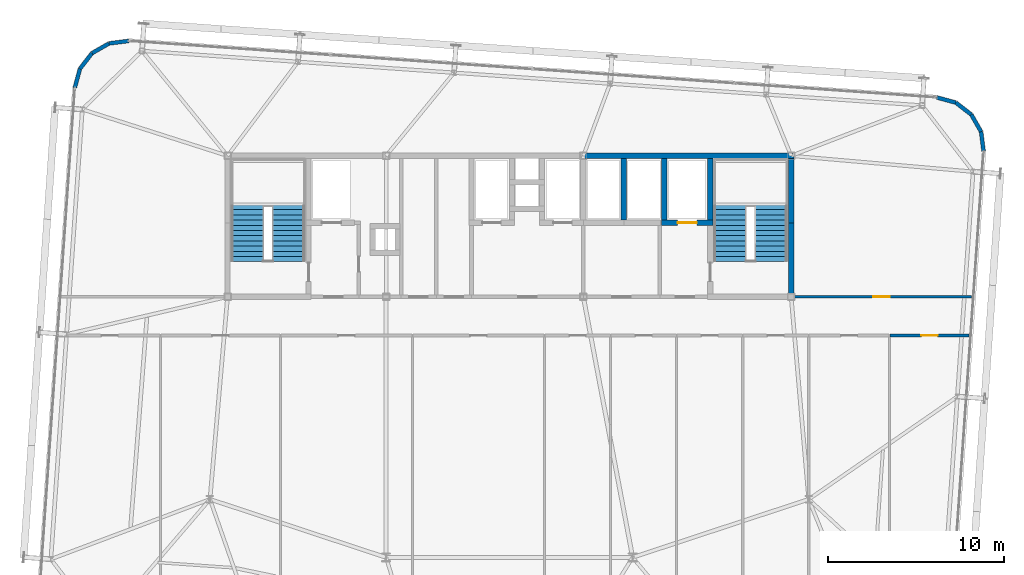
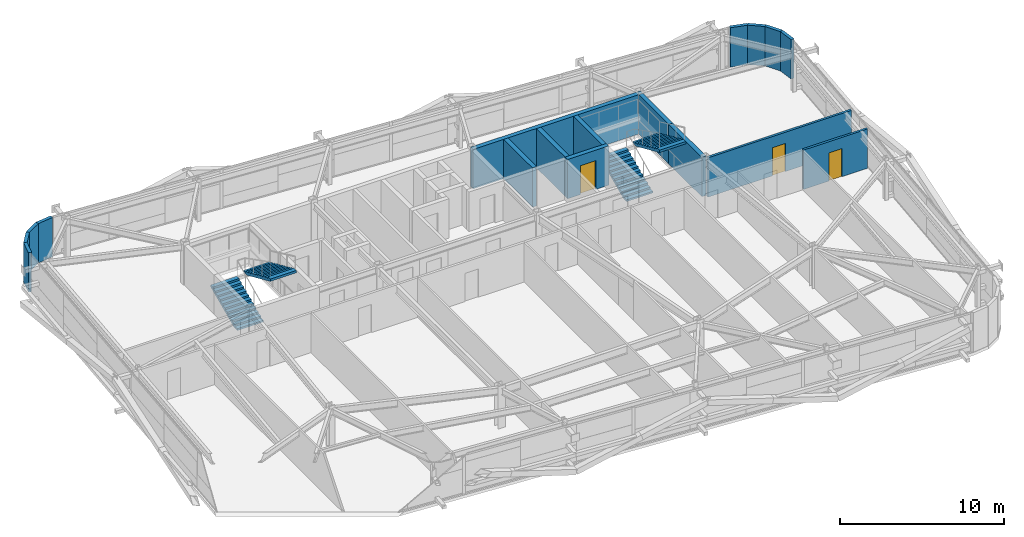
# One storey, part 37 of 39: 17 walls, 4 stair flights, 3 doors, 3 openings, 2 elements without a shape of their own.
"""IFC4 building model written with IfcOpenShell, lengths in metres."""

from ifc_helpers import new_model, si_unit, direction, frame, frame_2d, origin, place, context, subcontext, project, spatial, polyline, rectangle, outline, extrude, source, transform, mapped, material, layer, layer_set, type_object, element, fill, aggregate, save


model = new_model("IFC4")

# Units and contexts
model_context = context("Model", 3, precision=1e-05, world=origin(), true_north=direction((0.0, 1.0)))
body_context = subcontext(model_context, "Body", "Model", "MODEL_VIEW")
ifc_project = project(units=[si_unit("LENGTHUNIT", "METRE"), si_unit("AREAUNIT", "SQUARE_METRE"), si_unit("VOLUMEUNIT", "CUBIC_METRE"), si_unit("PLANEANGLEUNIT", "RADIAN"), si_unit("MASSUNIT", "GRAM", prefix="KILO")], contexts=[model_context])

# Site, building, storey
site_placement = place(None, origin())
site = spatial("IfcSite", under=ifc_project, at=site_placement, CompositionType="ELEMENT")
building_placement = place(site_placement, origin())
building = spatial("IfcBuilding", under=site, at=building_placement, Name="Taldren Reach Tower", CompositionType="ELEMENT")
storey_placement = place(building_placement, frame((0.0, 0.0, 133.0)))
storey = spatial("IfcBuildingStorey", under=building, at=storey_placement, Name="L40", CompositionType="ELEMENT", Elevation=133.0)

# Walls
ifc_material_1 = material(Name="Pale Champagne Anodised Aluminium Cladding", Category="aluminium")
ifc_layer_1 = layer(ifc_material_1, 0.04, Name="Pale Champagne Anodised Aluminium Cladding", Category="aluminium")
ifc_material_2 = material(Name="Mineral Wool Acoustic Insulation", Category="insulation")
ifc_layer_2 = layer(ifc_material_2, 0.06, Name="Mineral Wool Acoustic Insulation", Category="insulation")
ifc_material_3 = material(Name="Steel Gr 350 (C350L0)", Category="steel")
ifc_layer_3 = layer(ifc_material_3, 0.12, Name="Steel Gr 350 (C350L0)", Category="steel")
ifc_layer_set_1 = layer_set([ifc_layer_1, ifc_layer_2, ifc_layer_3], Name="Pale Champagne Aluminium Cladding and Steel Gr 350 Stud Framing")
wall_type_1 = type_object("IfcWallType", Name="EW-CRN-220", PredefinedType="SOLIDWALL", material=ifc_layer_set_1)
shared_shape_1 = source(origin(), body_context, "Body", "SweptSolid", [
    extrude(rectangle(XDim=1.115966796875, YDim=0.219970703125, at=frame_2d((0.55810546875, 0.0))), origin(), (0.0, 0.0, 1.0), 2.929931640625),
])
for number, where, z_axis, x_axis, name in (
    (1, (61.923583984375, 32.261962890625, 0.0), (0.0, 0.0, 1.0), (-0.126242535829, 0.991999406324, 0.0), "Rounded-corner pale-metal facade wall L40-NE1"),
    (2, (61.78271484375, 33.368896484375, 0.0), (0.0, 0.0, 1.0), (-0.496138938357, 0.868243142124, 0.0), "Rounded-corner pale-metal facade wall L40-NE2"),
    (3, (61.22900390625, 34.337890625, 0.0), (0.0, 0.0, 1.0), (-0.790716874741, 0.612182018684, 0.0), "Rounded-corner pale-metal facade wall L40-NE3"),
    (4, (60.3466796875, 35.02099609375, 0.0), (0.0, 0.0, 1.0), (-0.964804199372, 0.262969307856, 0.0), "Rounded-corner pale-metal facade wall L40-NE4"),
    (5, (13.382080078125, 38.5234375, 0.0), (0.0, 0.0, 1.0), (-0.991999406324, -0.126242535829, 0.0), "Rounded-corner pale-metal facade wall L40-NW1"),
    (6, (11.306396484375, 37.828857421875, 0.0), (0.0, 0.0, 1.0), (-0.612318787668, -0.790610967714, 0.0), "Rounded-corner pale-metal facade wall L40-NW3"),
    (7, (10.623046875, 36.946533203125, 0.0), (0.0, 0.0, 1.0), (-0.262969307856, -0.964804199372, 0.0), "Rounded-corner pale-metal facade wall L40-NW4"),
):
    element("IfcWall", number, at=place(storey_placement, frame(where, z_axis=z_axis, x_axis=x_axis)), inside=storey, type_object=wall_type_1, Name=name, PredefinedType="SOLIDWALL", context=body_context, shape_type="MappedRepresentation", body=[
        mapped(shared_shape_1, transform((0.0, 0.0, 0.0), scale=1.0)),
    ])
shared_shape_2 = source(origin(), body_context, "Body", "SweptSolid", [
    extrude(rectangle(XDim=1.11572265625, YDim=0.219970703125, at=frame_2d((0.557861328125, 0.0))), origin(), (0.0, 0.0, 1.0), 2.929931640625),
])
wall_1_placement = place(storey_placement, frame((12.275146484375, 38.382568359375, 0.0), z_axis=(0.0, 0.0, 1.0), x_axis=(-0.868189279113, -0.496233186751, 0.0)))
element("IfcWall", 8, at=wall_1_placement, inside=storey, type_object=wall_type_1, Name="Rounded-corner pale-metal facade wall L40-NW2", PredefinedType="SOLIDWALL", context=body_context, shape_type="MappedRepresentation", body=[
    mapped(shared_shape_2, transform((0.0, 0.0, 0.0), scale=1.0)),
])
ifc_material_4 = material(Name="Concrete S65 (65 MPa)", Category="concrete")
ifc_layer_4 = layer(ifc_material_4, 0.300048828125)
ifc_layer_set_2 = layer_set([ifc_layer_4], Name="Concrete S65 (65 MPa)")
wall_type_2 = type_object("IfcWallType", Name="IW-CORE-300", PredefinedType="SHEAR", material=ifc_layer_set_2)
shared_shape_3 = source(origin(), body_context, "Body", "SweptSolid", [
    extrude(rectangle(XDim=11.949951171875, YDim=0.300048828125, at=frame_2d((5.97509765625, 0.0))), origin(), (0.0, 0.0, 1.0), 2.929931640625),
])
wall_2_placement = place(storey_placement, frame((39.199951171875, 32.0, 0.0), z_axis=(0.0, 0.0, 1.0), x_axis=(1.0, 0.0, 0.0)))
element("IfcWall", 9, at=wall_2_placement, inside=storey, type_object=wall_type_2, Name="Rear Core Shear Wall W-CORE-L40-NORTH3", PredefinedType="SHEAR", context=body_context, shape_type="MappedRepresentation", body=[
    mapped(shared_shape_3, transform((0.0, 0.0, 0.0), scale=1.0)),
])
shared_shape_4 = source(origin(), body_context, "Body", "SweptSolid", [
    extrude(rectangle(XDim=4.050048828125, YDim=0.300048828125, at=frame_2d((2.02490234375, 0.0))), origin(), (0.0, 0.0, 1.0), 2.929931640625),
])
wall_3_placement = place(storey_placement, frame((51.0, 24.14990234375, 0.0), z_axis=(0.0, 0.0, 1.0), x_axis=(0.0, 1.0, 0.0)))
element("IfcWall", 10, at=wall_3_placement, inside=storey, type_object=wall_type_2, Name="Rear Core Shear Wall W-CORE-L40-EAST1", PredefinedType="SHEAR", context=body_context, shape_type="MappedRepresentation", body=[
    mapped(shared_shape_4, transform((0.0, 0.0, 0.0), scale=1.0)),
])
shared_shape_5 = source(origin(), body_context, "Body", "SweptSolid", [
    extrude(rectangle(XDim=3.650146484375, YDim=0.300048828125, at=frame_2d((1.8251953125, 0.0))), origin(), (0.0, 0.0, 1.0), 2.929931640625),
])
wall_4_placement = place(storey_placement, frame((51.0, 28.199951171875, 0.0), z_axis=(0.0, 0.0, 1.0), x_axis=(0.0, 1.0, 0.0)))
element("IfcWall", 11, at=wall_4_placement, inside=storey, type_object=wall_type_2, Name="Rear Core Shear Wall W-CORE-L40-EAST2", PredefinedType="SHEAR", context=body_context, shape_type="MappedRepresentation", body=[
    mapped(shared_shape_5, transform((0.0, 0.0, 0.0), scale=1.0)),
])
shared_shape_6 = source(origin(), body_context, "Body", "SweptSolid", [
    extrude(rectangle(XDim=3.5, YDim=0.300048828125, at=frame_2d((1.75, 0.0))), origin(), (0.0, 0.0, 1.0), 2.929931640625),
])
for number, where, z_axis, x_axis, name in (
    (12, (46.39990234375, 31.85009765625, 0.0), (0.0, 0.0, 1.0), (0.0, -1.0, 0.0), "Rear Core Shear Wall W-INT-L40-007"),
    (13, (43.800048828125, 31.85009765625, 0.0), (0.0, 0.0, 1.0), (0.0, -1.0, 0.0), "Rear Core Shear Wall W-INT-L40-011"),
    (14, (41.5, 28.35009765625, 0.0), (0.0, 0.0, 1.0), (0.0, 1.0, 0.0), "Rear Core Shear Wall W-INT-L40-033"),
):
    element("IfcWall", number, at=place(storey_placement, frame(where, z_axis=z_axis, x_axis=x_axis)), inside=storey, type_object=wall_type_2, Name=name, PredefinedType="SHEAR", context=body_context, shape_type="MappedRepresentation", body=[
        mapped(shared_shape_6, transform((0.0, 0.0, 0.0), scale=1.0)),
    ])

# Wall, opening, door
shared_shape_7 = source(origin(), body_context, "Body", "SweptSolid", [
    extrude(rectangle(XDim=2.900146484375, YDim=0.300048828125, at=frame_2d((1.4501953125, 0.0))), origin(), (0.0, 0.0, 1.0), 2.929931640625),
])
wall_5_placement = place(storey_placement, frame((43.64990234375, 28.199951171875, 0.0), z_axis=(0.0, 0.0, 1.0), x_axis=(1.0, 0.0, 0.0)))
wall_5 = element("IfcWall", 15, at=wall_5_placement, inside=storey, type_object=wall_type_2, Name="Rear Core Shear Wall W-INT-L40-010", PredefinedType="SHEAR", context=body_context, shape_type="MappedRepresentation", body=[
    mapped(shared_shape_7, transform((0.0, 0.0, 0.0), scale=1.0)),
])
shared_shape_8 = source(origin(), body_context, "Body", "SweptSolid", [
    extrude(rectangle(XDim=1.10009765625, YDim=2.14990234375, at=frame_2d((0.550048828125, 1.074951171875))), frame((0.0, 0.16015625, 0.0), z_axis=(0.0, -1.0, 0.0), x_axis=(1.0, 0.0, 0.0)), (0.0, 0.0, 1.0), 0.320068359375),
])
opening_1_placement = place(wall_5_placement, frame((0.89990234375, 0.0, 0.0)))
opening_1 = element("IfcOpeningElement", 16, at=opening_1_placement, cuts=wall_5, Name="Opening LD-FL2", PredefinedType="OPENING", context=body_context, shape_type="MappedRepresentation", body=[
    mapped(shared_shape_8, transform((0.0, 0.0, 0.0), scale=1.0)),
])
ifc_material_5 = material(Name="Stainless Steel Gr 316 Emergency Lift Landing Door", Category="steel")
door_type_1 = type_object("IfcDoorType", Name="LD-EMG-110", OperationType="SLIDING_TO_LEFT", PredefinedType="DOOR", material=ifc_material_5)
shared_shape_9 = source(origin(), body_context, "Body", "SweptSolid", [
    extrude(rectangle(XDim=1.10009765625, YDim=2.14990234375, at=frame_2d((0.550048828125, 1.074951171875))), frame((0.0, 0.02490234375, 0.0), z_axis=(0.0, -1.0, 0.0), x_axis=(1.0, 0.0, 0.0)), (0.0, 0.0, 1.0), 0.050048828125),
])
door_1_placement = place(opening_1_placement, origin())
door_1 = element("IfcDoor", 17, at=door_1_placement, inside=storey, type_object=door_type_1, Name="Lift Landing Door LD-FL2-L40", OperationType="SLIDING_TO_LEFT", OverallHeight=2.14990234375, OverallWidth=1.10009765625, PredefinedType="DOOR", context=body_context, shape_type="MappedRepresentation", body=[
    mapped(shared_shape_9, transform((0.0, 0.0, 0.0), scale=1.0)),
])
fill(opening_1, door_1)

ifc_material_6 = material(Name="Fire-Rated Acoustic Plasterboard Stud Wall", Category="gypsum")
ifc_layer_5 = layer(ifc_material_6, 0.159912109375)
ifc_layer_set_3 = layer_set([ifc_layer_5], Name="Fire-Rated Acoustic Plasterboard Stud Wall")
wall_type_3 = type_object("IfcWallType", Name="IW-FIRE-160", PredefinedType="PARTITIONING", material=ifc_layer_set_3)
shared_shape_10 = source(origin(), body_context, "Body", "SweptSolid", [
    extrude(rectangle(XDim=10.10009765625, YDim=0.159912109375, at=frame_2d((5.050048828125, 0.0))), origin(), (0.0, 0.0, 1.0), 2.929931640625),
])
wall_6_placement = place(storey_placement, frame((51.14990234375, 24.0, 0.0), z_axis=(0.0, 0.0, 1.0), x_axis=(1.0, 0.0, 0.0)))
wall_6 = element("IfcWall", 18, at=wall_6_placement, inside=storey, type_object=wall_type_3, Name="Interior Partition Wall W-INT-L40-052", PredefinedType="PARTITIONING", context=body_context, shape_type="MappedRepresentation", body=[
    mapped(shared_shape_10, transform((0.0, 0.0, 0.0), scale=1.0)),
])
shared_shape_11 = source(origin(), body_context, "Body", "SweptSolid", [
    extrude(rectangle(XDim=0.919921875, YDim=2.10009765625, at=frame_2d((0.4599609375, 1.050048828125))), frame((0.0, 0.08984375, 0.0), z_axis=(0.0, -1.0, 0.0), x_axis=(1.0, 0.0, 0.0)), (0.0, 0.0, 1.0), 0.179931640625),
])
opening_2_placement = place(wall_6_placement, frame((4.525146484375, 0.0, 0.0)))
opening_2 = element("IfcOpeningElement", 19, at=opening_2_placement, cuts=wall_6, Name="Opening DI-092", PredefinedType="OPENING", context=body_context, shape_type="MappedRepresentation", body=[
    mapped(shared_shape_11, transform((0.0, 0.0, 0.0), scale=1.0)),
])
ifc_material_7 = material(Name="Solid-Core Timber Suite Door", Category="wood")
door_type_2 = type_object("IfcDoorType", Name="ID-INT-092", OperationType="NOTDEFINED", PredefinedType="DOOR", material=ifc_material_7)
shared_shape_12 = source(origin(), body_context, "Body", "SweptSolid", [
    extrude(rectangle(XDim=0.919921875, YDim=2.10009765625, at=frame_2d((0.4599609375, 1.050048828125))), frame((0.0, 0.02490234375, 0.0), z_axis=(0.0, -1.0, 0.0), x_axis=(1.0, 0.0, 0.0)), (0.0, 0.0, 1.0), 0.050048828125),
])
door_2_placement = place(opening_2_placement, origin())
door_2 = element("IfcDoor", 20, at=door_2_placement, inside=storey, type_object=door_type_2, Name="Interior Door DR-L40-019", OperationType="SINGLE_SWING_RIGHT", OverallHeight=2.10009765625, OverallWidth=0.919921875, PredefinedType="DOOR", context=body_context, shape_type="MappedRepresentation", body=[
    mapped(shared_shape_12, transform((0.0, 0.0, 0.0), scale=1.0)),
])
fill(opening_2, door_2)

shared_shape_13 = source(origin(), body_context, "Body", "SweptSolid", [
    extrude(rectangle(XDim=4.4990234375, YDim=0.159912109375, at=frame_2d((2.24951171875, 0.0))), origin(), (0.0, 0.0, 1.0), 2.929931640625),
])
wall_7_placement = place(storey_placement, frame((61.107421875, 21.800048828125, 0.0), z_axis=(0.0, 0.0, 1.0), x_axis=(-1.0, 0.0, 0.0)))
wall_7 = element("IfcWall", 21, at=wall_7_placement, inside=storey, type_object=wall_type_3, Name="Interior Partition Wall W-INT-L40-051", PredefinedType="PARTITIONING", context=body_context, shape_type="MappedRepresentation", body=[
    mapped(shared_shape_13, transform((0.0, 0.0, 0.0), scale=1.0)),
])
opening_3_placement = place(wall_7_placement, frame((1.78955078125, 0.0, 0.0)))
opening_3 = element("IfcOpeningElement", 22, at=opening_3_placement, cuts=wall_7, Name="Opening DI-092", PredefinedType="OPENING", context=body_context, shape_type="MappedRepresentation", body=[
    mapped(shared_shape_11, transform((0.0, 0.0, 0.0), scale=1.0)),
])
door_3_placement = place(opening_3_placement, origin())
door_3 = element("IfcDoor", 23, at=door_3_placement, inside=storey, type_object=door_type_2, Name="Interior Door DR-L40-018", OperationType="SINGLE_SWING_LEFT", OverallHeight=2.10009765625, OverallWidth=0.919921875, PredefinedType="DOOR", context=body_context, shape_type="MappedRepresentation", body=[
    mapped(shared_shape_12, transform((0.0, 0.0, 0.0), scale=1.0)),
])
fill(opening_3, door_3)

# Stair, stair flights
ifc_material_8 = material(Name="Concrete S50 (50 MPa)", Category="concrete")
stair_type = type_object("IfcStairType", Name="ST-HT-315", PredefinedType="HALF_TURN_STAIR", material=ifc_material_8)
stair_1_placement = place(storey_placement, origin())
stair_1 = element("IfcStair", 24, at=stair_1_placement, inside=storey, type_object=stair_type, Name="Fire-isolated exit stair ST1 L40", PredefinedType="HALF_TURN_STAIR")
stair_flight_type = type_object("IfcStairFlightType", Name="SF-STR-315", PredefinedType="STRAIGHT", material=ifc_material_8)
stair_flight_1_placement = place(storey_placement, frame((20.139892578125, 25.989990234375, 0.0), z_axis=(0.0, 0.0, 1.0), x_axis=(0.0, 1.0, 0.0)))
stair_flight_1 = element("IfcStairFlight", 25, at=stair_flight_1_placement, type_object=stair_flight_type, Name="ST1 flight 1", NumberOfRisers=12, NumberOfTreads=11, PredefinedType="STRAIGHT", RiserHeight=0.13125, TreadLength=0.295, context=body_context, shape_type="SweptSolid", body=[
    extrude(outline(polyline([(0.0, 0.0), (0.0, 0.13134765625), (0.294921875, 0.13134765625), (0.294921875, 0.262451171875), (0.590087890625, 0.262451171875), (0.590087890625, 0.393798828125), (0.885009765625, 0.393798828125), (0.885009765625, 0.52490234375), (1.179931640625, 0.52490234375), (1.179931640625, 0.65625), (1.47509765625, 0.65625), (1.47509765625, 0.78759765625), (1.77001953125, 0.78759765625), (1.77001953125, 0.918701171875), (2.06494140625, 0.918701171875), (2.06494140625, 1.050048828125), (2.360107421875, 1.050048828125), (2.360107421875, 1.18115234375), (2.655029296875, 1.18115234375), (2.655029296875, 1.3125), (2.949951171875, 1.3125), (2.949951171875, 1.44384765625), (3.2451171875, 1.44384765625), (3.2451171875, 1.574951171875), (3.2451171875, 1.268798828125), (0.393310546875, 0.0), (0.0, 0.0)])), frame((0.0, 0.919921875, 0.0), z_axis=(0.0, -1.0, 0.0), x_axis=(1.0, 0.0, 0.0)), (0.0, 0.0, 1.0), 1.840087890625),
])
stair_flight_2_placement = place(storey_placement, frame((22.4599609375, 29.235107421875, 1.574951171875), z_axis=(0.0, 0.0, 1.0), x_axis=(0.0, -1.0, 0.0)))
stair_flight_2 = element("IfcStairFlight", 26, at=stair_flight_2_placement, type_object=stair_flight_type, Name="ST1 flight 2", NumberOfRisers=12, NumberOfTreads=11, PredefinedType="STRAIGHT", RiserHeight=0.13125, TreadLength=0.295, context=body_context, shape_type="SweptSolid", body=[
    extrude(outline(polyline([(0.0, 0.0), (0.0, 0.13134765625), (0.294921875, 0.13134765625), (0.294921875, 0.262451171875), (0.590087890625, 0.262451171875), (0.590087890625, 0.393798828125), (0.885009765625, 0.393798828125), (0.885009765625, 0.52490234375), (1.179931640625, 0.52490234375), (1.179931640625, 0.65625), (1.47509765625, 0.65625), (1.47509765625, 0.78759765625), (1.77001953125, 0.78759765625), (1.77001953125, 0.918701171875), (2.06494140625, 0.918701171875), (2.06494140625, 1.050048828125), (2.360107421875, 1.050048828125), (2.360107421875, 1.18115234375), (2.655029296875, 1.18115234375), (2.655029296875, 1.3125), (2.949951171875, 1.3125), (2.949951171875, 1.44384765625), (3.2451171875, 1.44384765625), (3.2451171875, 1.574951171875), (3.2451171875, 1.268798828125), (0.393310546875, 0.0), (0.0, 0.0)])), frame((0.0, 0.919921875, 0.0), z_axis=(0.0, -1.0, 0.0), x_axis=(1.0, 0.0, 0.0)), (0.0, 0.0, 1.0), 1.840087890625),
])
aggregate(stair_1, [stair_flight_1, stair_flight_2])

stair_2_placement = place(storey_placement, origin())
stair_2 = element("IfcStair", 27, at=stair_2_placement, inside=storey, type_object=stair_type, Name="Fire-isolated exit stair ST2 L40", PredefinedType="HALF_TURN_STAIR")
stair_flight_3_placement = place(storey_placement, frame((47.5400390625, 25.989990234375, 0.0), z_axis=(0.0, 0.0, 1.0), x_axis=(0.0, 1.0, 0.0)))
stair_flight_3 = element("IfcStairFlight", 28, at=stair_flight_3_placement, type_object=stair_flight_type, Name="ST2 flight 1", NumberOfRisers=12, NumberOfTreads=11, PredefinedType="STRAIGHT", RiserHeight=0.13125, TreadLength=0.295, context=body_context, shape_type="SweptSolid", body=[
    extrude(outline(polyline([(0.0, 0.0), (0.0, 0.13134765625), (0.294921875, 0.13134765625), (0.294921875, 0.262451171875), (0.590087890625, 0.262451171875), (0.590087890625, 0.393798828125), (0.885009765625, 0.393798828125), (0.885009765625, 0.52490234375), (1.179931640625, 0.52490234375), (1.179931640625, 0.65625), (1.47509765625, 0.65625), (1.47509765625, 0.78759765625), (1.77001953125, 0.78759765625), (1.77001953125, 0.918701171875), (2.06494140625, 0.918701171875), (2.06494140625, 1.050048828125), (2.360107421875, 1.050048828125), (2.360107421875, 1.18115234375), (2.655029296875, 1.18115234375), (2.655029296875, 1.3125), (2.949951171875, 1.3125), (2.949951171875, 1.44384765625), (3.2451171875, 1.44384765625), (3.2451171875, 1.574951171875), (3.2451171875, 1.268798828125), (0.393310546875, 0.0), (0.0, 0.0)])), frame((0.0, 0.919921875, 0.0), z_axis=(0.0, -1.0, 0.0), x_axis=(1.0, 0.0, 0.0)), (0.0, 0.0, 1.0), 1.840087890625),
])
stair_flight_4_placement = place(storey_placement, frame((49.860107421875, 29.235107421875, 1.574951171875), z_axis=(0.0, 0.0, 1.0), x_axis=(0.0, -1.0, 0.0)))
stair_flight_4 = element("IfcStairFlight", 29, at=stair_flight_4_placement, type_object=stair_flight_type, Name="ST2 flight 2", NumberOfRisers=12, NumberOfTreads=11, PredefinedType="STRAIGHT", RiserHeight=0.13125, TreadLength=0.295, context=body_context, shape_type="SweptSolid", body=[
    extrude(outline(polyline([(0.0, 0.0), (0.0, 0.13134765625), (0.294921875, 0.13134765625), (0.294921875, 0.262451171875), (0.590087890625, 0.262451171875), (0.590087890625, 0.393798828125), (0.885009765625, 0.393798828125), (0.885009765625, 0.52490234375), (1.179931640625, 0.52490234375), (1.179931640625, 0.65625), (1.47509765625, 0.65625), (1.47509765625, 0.78759765625), (1.77001953125, 0.78759765625), (1.77001953125, 0.918701171875), (2.06494140625, 0.918701171875), (2.06494140625, 1.050048828125), (2.360107421875, 1.050048828125), (2.360107421875, 1.18115234375), (2.655029296875, 1.18115234375), (2.655029296875, 1.3125), (2.949951171875, 1.3125), (2.949951171875, 1.44384765625), (3.2451171875, 1.44384765625), (3.2451171875, 1.574951171875), (3.2451171875, 1.268798828125), (0.393310546875, 0.0), (0.0, 0.0)])), frame((0.0, 0.919921875, 0.0), z_axis=(0.0, -1.0, 0.0), x_axis=(1.0, 0.0, 0.0)), (0.0, 0.0, 1.0), 1.840087890625),
])
aggregate(stair_2, [stair_flight_3, stair_flight_4])

save(model, "model.ifc")
